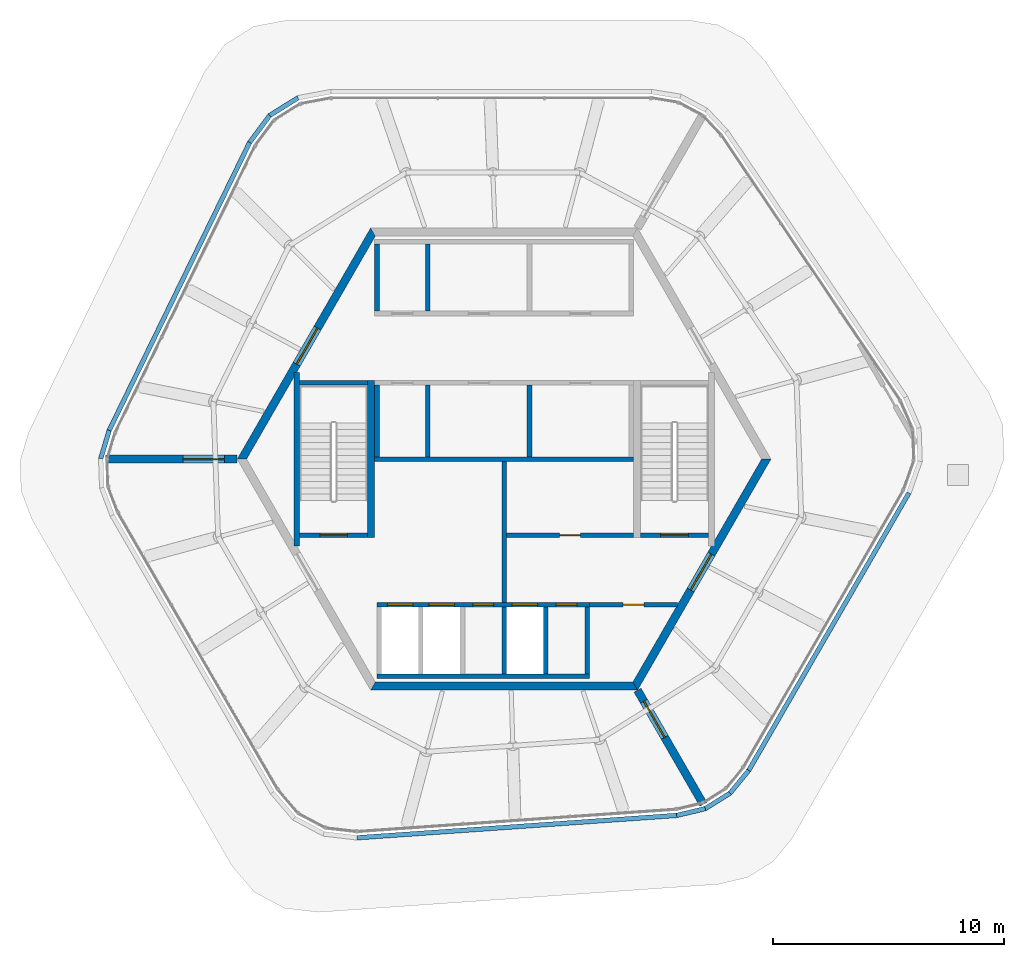
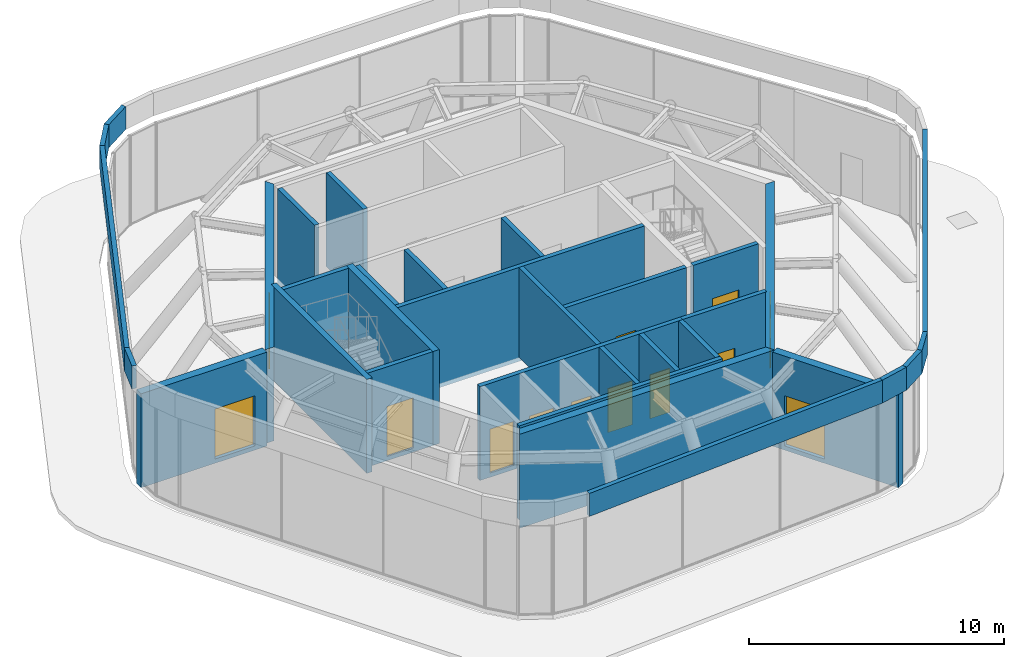
# One storey, part 7 of 9: 33 walls, 13 doors, 13 openings.
"""IFC4 building model written with IfcOpenShell, lengths in metres."""

import ifcopenshell
import ifcopenshell.guid

model = None  # the IFC model being written
_history = None  # IfcOwnerHistory: only IFC2X3 demands one
_inside = {}  # id of a spatial element -> (the spatial element, [elements in it])
_under = {}  # id of a project, library or spatial element -> (it, [spatial elements below it])
_declared = {}  # id of a project -> (the project, [libraries it declares])
_typed = {}  # id of a type object -> (the type object, [elements of that type])
_made_of = {}  # id of a material, layer set ... -> (it, [elements and type objects made of it])


def new_model(schema):
    """Start an empty IFC model of exactly this schema.

    Asked for "IFC4X3", IfcOpenShell would pick the latest addendum, in which some entities
    have other attributes; the version numbers below select the first issue.
    IFC2X3 requires an IfcOwnerHistory on every rooted entity: one is made here for all.
    """
    global model, _history
    if schema == "IFC4X3":
        model = ifcopenshell.file(schema_version=(4, 3, 0, 0))
    else:
        model = ifcopenshell.file(schema=schema)
    _inside.clear()
    _under.clear()
    _declared.clear()
    _typed.clear()
    _made_of.clear()
    _history = None
    if model.schema == "IFC2X3":
        org = make("IfcOrganization", Name="unknown")
        user = make(
            "IfcPersonAndOrganization",
            ThePerson=make("IfcPerson", FamilyName="unknown"),
            TheOrganization=org,
        )
        app = make(
            "IfcApplication",
            ApplicationDeveloper=org,
            Version="unknown",
            ApplicationFullName="unknown",
            ApplicationIdentifier="unknown",
        )
        _history = make(
            "IfcOwnerHistory",
            OwningUser=user,
            OwningApplication=app,
            ChangeAction="ADDED",
            CreationDate=0,
        )
    return model


def make(cls, **values):
    """One entity of the class cls with the attributes given. An attribute that is None is left unset."""
    return model.create_entity(
        cls, **{name: value for name, value in values.items() if value is not None}
    )


def rooted(cls, **values):
    """An entity with a GlobalId (a new one), such as an element, a storey or a relation."""
    return make(cls, GlobalId=ifcopenshell.guid.new(), OwnerHistory=_history, **values)


def si_unit(unit_type, name, prefix=None):
    """IfcSIUnit, for example si_unit("LENGTHUNIT", "METRE", prefix="MILLI")."""
    return make("IfcSIUnit", UnitType=unit_type, Prefix=prefix, Name=name)


def assignment(units):
    """IfcUnitAssignment: the units of a project."""
    return None if units is None else make("IfcUnitAssignment", Units=units)


def point(xyz):
    """IfcCartesianPoint."""
    return None if xyz is None else make("IfcCartesianPoint", Coordinates=xyz)


def direction(xyz):
    """IfcDirection."""
    return None if xyz is None else make("IfcDirection", DirectionRatios=xyz)


def frame(location, z_axis=None, x_axis=None):
    """IfcAxis2Placement3D, a coordinate frame: its origin and axes. An axis left out is left unset."""
    return make(
        "IfcAxis2Placement3D",
        Location=point(location),
        Axis=direction(z_axis),
        RefDirection=direction(x_axis),
    )


def frame_2d(location, x_axis=None):
    """IfcAxis2Placement2D, a coordinate frame in the plane: its origin and x axis."""
    return make(
        "IfcAxis2Placement2D", Location=point(location), RefDirection=direction(x_axis)
    )


def origin():
    """The frame at (0, 0, 0) with its axes left unset."""
    return frame((0.0, 0.0, 0.0))


def place(relative_to, where):
    """IfcLocalPlacement: puts the frame where relative to a parent placement (None: the world)."""
    return make(
        "IfcLocalPlacement", PlacementRelTo=relative_to, RelativePlacement=where
    )


def context(
    kind, dimensions, precision=None, world=None, true_north=None, identifier=None
):
    """IfcGeometricRepresentationContext, for example the 3D "Model" context."""
    return make(
        "IfcGeometricRepresentationContext",
        ContextIdentifier=identifier,
        ContextType=kind,
        CoordinateSpaceDimension=dimensions,
        Precision=precision,
        WorldCoordinateSystem=world,
        TrueNorth=true_north,
    )


def subcontext(parent, identifier, kind, view, scale=None):
    """IfcGeometricRepresentationSubContext, for example "Body" below "Model"."""
    return make(
        "IfcGeometricRepresentationSubContext",
        ContextIdentifier=identifier,
        ContextType=kind,
        ParentContext=parent,
        TargetScale=scale,
        TargetView=view,
    )


def project(units=None, contexts=None):
    """IfcProject with its units and contexts."""
    return rooted(
        "IfcProject",
        Name="project",
        RepresentationContexts=contexts,
        UnitsInContext=assignment(units),
    )


def spatial(cls, under=None, at=None, **own):
    """A site, building, storey or space (cls), placed at a placement, below another one or the project."""
    s = rooted(cls, ObjectPlacement=at, **own)
    if under is not None:
        _under.setdefault(under.id(), (under, []))[1].append(s)
    return s


def polyline(points):
    """IfcPolyline through the points."""
    return make("IfcPolyline", Points=[point(p) for p in points])


def profile(cls, at=None, kind="AREA", **sizes):
    """A parametric profile (cls). Its sizes go by their IFC names, for example OverallWidth=200.0."""
    return make(cls, ProfileType=kind, Position=at, **sizes)


def rectangle(**sizes):
    """IfcRectangleProfileDef."""
    return profile("IfcRectangleProfileDef", **sizes)


def outline(outer, holes=None, kind="AREA"):
    """IfcArbitraryClosedProfileDef: a profile drawn as a closed curve; with holes, ...WithVoids."""
    if holes is None:
        return make("IfcArbitraryClosedProfileDef", ProfileType=kind, OuterCurve=outer)
    return make(
        "IfcArbitraryProfileDefWithVoids",
        ProfileType=kind,
        OuterCurve=outer,
        InnerCurves=holes,
    )


def extrude(swept, where, along, depth):
    """IfcExtrudedAreaSolid: the profile swept, set in the frame where, extruded along a direction by depth."""
    return make(
        "IfcExtrudedAreaSolid",
        SweptArea=swept,
        Position=where,
        ExtrudedDirection=direction(along),
        Depth=depth,
    )


def shape(context_of_items, identifier, shape_type, items):
    """IfcShapeRepresentation: the items that make up one representation, for example the "Body"."""
    return make(
        "IfcShapeRepresentation",
        ContextOfItems=context_of_items,
        RepresentationIdentifier=identifier,
        RepresentationType=shape_type,
        Items=items,
    )


def material(Name=None, Category=None):
    """IfcMaterial."""
    return make("IfcMaterial", Name=Name, Category=Category)


def layer(
    of_material, thickness, ventilated=None, Name=None, Category=None, Priority=None
):
    """IfcMaterialLayer: one layer of a wall or slab, of a material (None: an air gap)."""
    return make(
        "IfcMaterialLayer",
        Material=of_material,
        LayerThickness=thickness,
        IsVentilated=ventilated,
        Name=Name,
        Category=Category,
        Priority=Priority,
    )


def layer_set(layers, Name=None):
    """IfcMaterialLayerSet."""
    return make("IfcMaterialLayerSet", MaterialLayers=layers, LayerSetName=Name)


def made_of(thing, what):
    """Note that an element or type object is made of a material, layer set ...; save() writes the relation."""
    if what is not None:
        _made_of.setdefault(what.id(), (what, []))[1].append(thing)
    return thing


def type_object(cls, material=None, **own):
    """A type object (cls), such as IfcWallType, which elements share."""
    return made_of(rooted(cls, **own), material)


def element(
    cls,
    number,
    at=None,
    inside=None,
    cuts=None,
    type_object=None,
    material=None,
    context=None,
    identifier="Body",
    shape_type=None,
    held_by="IfcProductDefinitionShape",
    body=None,
    shapes=None,
    **own,
):
    """One element of the class cls, such as IfcWall. Its Tag is "e" and its number.

    at: its placement. inside: the storey or other place that contains it. cuts: it is an
    opening in that element (IfcRelVoidsElement). A single representation is given by context,
    identifier, shape_type and body (its items); several are given by shapes. held_by: the class
    of the entity that holds the representations. save() writes the other relations.
    """
    e = rooted(cls, Tag="e%d" % number, ObjectPlacement=at, **own)
    if body is not None:
        shapes = [shape(context, identifier, shape_type, body)]
    if shapes is not None:
        e.Representation = make(held_by, Representations=shapes)
    if inside is not None:
        _inside.setdefault(inside.id(), (inside, []))[1].append(e)
    if cuts is not None:
        rooted(
            "IfcRelVoidsElement", RelatingBuildingElement=cuts, RelatedOpeningElement=e
        )
    if type_object is not None:
        _typed.setdefault(type_object.id(), (type_object, []))[1].append(e)
    return made_of(e, material)


def fill(opening, filler):
    """IfcRelFillsElement: the door or window that sits in an opening."""
    return rooted(
        "IfcRelFillsElement",
        RelatingOpeningElement=opening,
        RelatedBuildingElement=filler,
    )


def aggregate(whole, parts):
    """IfcRelAggregates: a whole, such as a stair, and the parts it consists of."""
    return rooted("IfcRelAggregates", RelatingObject=whole, RelatedObjects=parts)


def save(model, path):
    """Write the relations noted so far, then the file.

    IfcRelAggregates (storeys below a building ...), IfcRelContainedInSpatialStructure (elements
    in a storey), IfcRelDefinesByType, IfcRelAssociatesMaterial and IfcRelDeclares: one each for
    every whole, place, type object, material and project.
    """
    for whole, parts in _under.values():
        aggregate(whole, parts)
    for where, things in _inside.values():
        rooted(
            "IfcRelContainedInSpatialStructure",
            RelatedElements=things,
            RelatingStructure=where,
        )
    for kind, things in _typed.values():
        rooted("IfcRelDefinesByType", RelatedObjects=things, RelatingType=kind)
    for what, things in _made_of.values():
        rooted("IfcRelAssociatesMaterial", RelatedObjects=things, RelatingMaterial=what)
    for by, libraries in _declared.values():
        rooted("IfcRelDeclares", RelatingContext=by, RelatedDefinitions=libraries)
    model.write(path)


model = new_model("IFC4")

# Units and contexts
model_context = context("Model", 3, precision=1e-05, world=origin(), true_north=direction((0.0, 1.0)))
body_context = subcontext(model_context, "Body", "Model", "MODEL_VIEW")
ifc_project = project(units=[si_unit("LENGTHUNIT", "METRE"), si_unit("AREAUNIT", "SQUARE_METRE"), si_unit("VOLUMEUNIT", "CUBIC_METRE"), si_unit("PLANEANGLEUNIT", "RADIAN"), si_unit("MASSUNIT", "GRAM", prefix="KILO")], contexts=[model_context])

# Site, building, storey
site_placement = place(None, origin())
site = spatial("IfcSite", under=ifc_project, at=site_placement, CompositionType="ELEMENT")
building_placement = place(site_placement, origin())
building = spatial("IfcBuilding", under=site, at=building_placement, Name="Tarnside Tower", CompositionType="ELEMENT")
storey_placement = place(building_placement, frame((0.0, 0.0, 397.199951171875)))
storey = spatial("IfcBuildingStorey", under=building, at=storey_placement, Name="L94", CompositionType="ELEMENT", Elevation=397.199951171875)

# Wall, opening, door
ifc_material_1 = material(Name="Concrete C40/50", Category="concrete")
ifc_layer_1 = layer(ifc_material_1, 0.199951171875)
ifc_layer_set_1 = layer_set([ifc_layer_1], Name="Core room partition 200 C40/50")
wall_type_1 = type_object("IfcWallType", Name="Core room partition 200 C40/50", PredefinedType="PARTITIONING", material=ifc_layer_set_1)
wall_1_placement = place(storey_placement, frame((0.10009765625, -3.300048828125, 0.0), z_axis=(0.0, 0.0, 1.0), x_axis=(1.0, 0.0, 0.0)))
wall_1 = element("IfcWall", 1, at=wall_1_placement, inside=storey, type_object=wall_type_1, Name="L94 core partition R3S1", PredefinedType="PARTITIONING", context=body_context, shape_type="SweptSolid", body=[
    extrude(rectangle(XDim=5.5, YDim=0.199951171875, at=frame_2d((2.75, 0.0))), origin(), (0.0, 0.0, 1.0), 4.300048828125),
])
opening_1_placement = place(wall_1_placement, frame((2.300048828125, 0.0, 0.0)))
opening_1 = element("IfcOpeningElement", 2, at=opening_1_placement, cuts=wall_1, Name="Opening CD-room", PredefinedType="OPENING", context=body_context, shape_type="SweptSolid", body=[
    extrude(rectangle(XDim=0.89990234375, YDim=2.10009765625, at=frame_2d((0.449951171875, 1.050048828125))), frame((0.0, 0.10986328125, 0.0), z_axis=(0.0, -1.0, 0.0), x_axis=(1.0, 0.0, 0.0)), (0.0, 0.0, 1.0), 0.219970703125),
])
ifc_material_2 = material(Name="Steel fire door", Category="steel")
door_type_1 = type_object("IfcDoorType", Name="Room door FD60 900x2100", OperationType="NOTDEFINED", PredefinedType="DOOR", material=ifc_material_2)
door_1_placement = place(opening_1_placement, origin())
door_1 = element("IfcDoor", 3, at=door_1_placement, inside=storey, type_object=door_type_1, Name="L94 core room door SR1", OperationType="SINGLE_SWING_LEFT", OverallHeight=2.10009765625, OverallWidth=0.89990234375, PredefinedType="DOOR", context=body_context, shape_type="SweptSolid", body=[
    extrude(rectangle(XDim=0.89990234375, YDim=2.10009765625, at=frame_2d((0.449951171875, 1.050048828125))), frame((0.0, 0.02490234375, 0.0), z_axis=(0.0, -1.0, 0.0), x_axis=(1.0, 0.0, 0.0)), (0.0, 0.0, 1.0), 0.050048828125),
])
fill(opening_1, door_1)

# Wall
wall_2_placement = place(storey_placement, frame((0.0, -6.199951171875, 0.0), z_axis=(0.0, 0.0, 1.0), x_axis=(0.0, 1.0, 0.0)))
element("IfcWall", 4, at=wall_2_placement, inside=storey, type_object=wall_type_1, Name="L94 core partition X0", PredefinedType="PARTITIONING", context=body_context, shape_type="SweptSolid", body=[
    extrude(rectangle(XDim=6.099853515625, YDim=0.199951171875, at=frame_2d((3.0498046875, 0.0))), origin(), (0.0, 0.0, 1.0), 4.300048828125),
])

# Wall, opening, door
wall_3_placement = place(storey_placement, frame((3.699951171875, -6.300048828125, 0.0), z_axis=(0.0, 0.0, 1.0), x_axis=(1.0, 0.0, 0.0)))
wall_3 = element("IfcWall", 5, at=wall_3_placement, inside=storey, type_object=wall_type_1, Name="L94 core partition R4X", PredefinedType="PARTITIONING", context=body_context, shape_type="SweptSolid", body=[
    extrude(rectangle(XDim=3.8056640625, YDim=0.199951171875, at=frame_2d((1.90283203125, 0.0))), origin(), (0.0, 0.0, 1.0), 4.300048828125),
])
opening_2_placement = place(wall_3_placement, frame((1.452880859375, 0.0, 0.0)))
opening_2 = element("IfcOpeningElement", 6, at=opening_2_placement, cuts=wall_3, Name="Opening CD-room", PredefinedType="OPENING", context=body_context, shape_type="SweptSolid", body=[
    extrude(rectangle(XDim=0.89990234375, YDim=2.10009765625, at=frame_2d((0.449951171875, 1.050048828125))), frame((0.0, 0.10986328125, 0.0), z_axis=(0.0, -1.0, 0.0), x_axis=(1.0, 0.0, 0.0)), (0.0, 0.0, 1.0), 0.219970703125),
])
door_2_placement = place(opening_2_placement, origin())
door_2 = element("IfcDoor", 7, at=door_2_placement, inside=storey, type_object=door_type_1, Name="L94 core room door RX", OperationType="SINGLE_SWING_LEFT", OverallHeight=2.10009765625, OverallWidth=0.89990234375, PredefinedType="DOOR", context=body_context, shape_type="SweptSolid", body=[
    extrude(rectangle(XDim=0.89990234375, YDim=2.10009765625, at=frame_2d((0.449951171875, 1.050048828125))), frame((0.0, 0.02490234375, 0.0), z_axis=(0.0, -1.0, 0.0), x_axis=(1.0, 0.0, 0.0)), (0.0, 0.0, 1.0), 0.050048828125),
])
fill(opening_2, door_2)

ifc_material_3 = material(Name="Concrete C50/60", Category="concrete")
ifc_layer_2 = layer(ifc_material_3, 0.35009765625)
ifc_layer_set_2 = layer_set([ifc_layer_2], Name="Core wall Z4 350 C50/60")
wall_type_2 = type_object("IfcWallType", Name="Core wall Z4 350 C50/60", PredefinedType="SHEAR", material=ifc_layer_set_2)
wall_4_placement = place(storey_placement, frame((-5.672607421875, 9.824951171875, -0.199951171875), z_axis=(0.0, 0.0, 1.0), x_axis=(-0.499995046907, -0.866028263435, 0.0)))
wall_4 = element("IfcWall", 8, at=wall_4_placement, inside=storey, type_object=wall_type_2, Name="L94 core wall face 2", PredefinedType="SHEAR", context=body_context, shape_type="SweptSolid", body=[
    extrude(outline(polyline([(-0.10107421875, -0.175048828125), (11.44580078125, -0.175048828125), (11.24365234375, 0.175048828125), (0.10107421875, 0.175048828125), (-0.10107421875, -0.175048828125)])), origin(), (0.0, 0.0, 1.0), 4.5),
])
opening_3_placement = place(wall_4_placement, frame((4.80126953125, 0.0, 0.199951171875)))
opening_3 = element("IfcOpeningElement", 9, at=opening_3_placement, cuts=wall_4, Name="Opening CD-LOB", PredefinedType="OPENING", context=body_context, shape_type="SweptSolid", body=[
    extrude(rectangle(XDim=1.800048828125, YDim=2.39990234375, at=frame_2d((0.89990234375, 1.199951171875))), frame((0.0, 0.18505859375, 0.0), z_axis=(0.0, -1.0, 0.0), x_axis=(1.0, 0.0, 0.0)), (0.0, 0.0, 1.0), 0.3701171875),
])
door_type_2 = type_object("IfcDoorType", Name="Lobby double door FD30S 1800x2400", OperationType="NOTDEFINED", PredefinedType="DOOR", material=ifc_material_2)
door_3_placement = place(opening_3_placement, origin())
door_3 = element("IfcDoor", 10, at=door_3_placement, inside=storey, type_object=door_type_2, Name="L94 core door P1", OperationType="DOUBLE_DOOR_SINGLE_SWING", OverallHeight=2.39990234375, OverallWidth=1.800048828125, PredefinedType="DOOR", context=body_context, shape_type="SweptSolid", body=[
    extrude(rectangle(XDim=1.800048828125, YDim=2.39990234375, at=frame_2d((0.89990234375, 1.199951171875))), frame((0.0, 0.02490234375, 0.0), z_axis=(0.0, -1.0, 0.0), x_axis=(1.0, 0.0, 0.0)), (0.0, 0.0, 1.0), 0.050048828125),
])
fill(opening_3, door_3)

# Wall
wall_5_placement = place(storey_placement, frame((-5.672607421875, -9.824951171875, -0.199951171875), z_axis=(0.0, 0.0, 1.0), x_axis=(1.0, 0.0, 0.0)))
element("IfcWall", 11, at=wall_5_placement, inside=storey, type_object=wall_type_2, Name="L94 core wall face 4", PredefinedType="SHEAR", context=body_context, shape_type="SweptSolid", body=[
    extrude(outline(polyline([(-0.10107421875, -0.175048828125), (11.4462890625, -0.175048828125), (11.244140625, 0.175048828125), (0.10107421875, 0.175048828125), (-0.10107421875, -0.175048828125)])), origin(), (0.0, 0.0, 1.0), 4.5),
])

# Wall, opening, door
wall_6_placement = place(storey_placement, frame((5.672607421875, -9.824951171875, -0.199951171875), z_axis=(0.0, 0.0, 1.0), x_axis=(0.499995046907, 0.866028263435, 0.0)))
wall_6 = element("IfcWall", 12, at=wall_6_placement, inside=storey, type_object=wall_type_2, Name="L94 core wall face 5", PredefinedType="SHEAR", context=body_context, shape_type="SweptSolid", body=[
    extrude(outline(polyline([(-0.10107421875, -0.175048828125), (11.44580078125, -0.175048828125), (11.24365234375, 0.175048828125), (0.10107421875, 0.175048828125), (-0.10107421875, -0.175048828125)])), origin(), (0.0, 0.0, 1.0), 4.5),
])
opening_4_placement = place(wall_6_placement, frame((4.80126953125, 0.0, 0.199951171875)))
opening_4 = element("IfcOpeningElement", 13, at=opening_4_placement, cuts=wall_6, Name="Opening CD-FFL", PredefinedType="OPENING", context=body_context, shape_type="SweptSolid", body=[
    extrude(rectangle(XDim=1.800048828125, YDim=2.39990234375, at=frame_2d((0.89990234375, 1.199951171875))), frame((0.0, 0.18505859375, 0.0), z_axis=(0.0, -1.0, 0.0), x_axis=(1.0, 0.0, 0.0)), (0.0, 0.0, 1.0), 0.3701171875),
])
door_type_3 = type_object("IfcDoorType", Name="Firefighting lobby double door FD60S 1800x2400", OperationType="NOTDEFINED", PredefinedType="DOOR", material=ifc_material_2)
door_4_placement = place(opening_4_placement, origin())
door_4 = element("IfcDoor", 14, at=door_4_placement, inside=storey, type_object=door_type_3, Name="L94 core door P4", OperationType="DOUBLE_DOOR_SINGLE_SWING", OverallHeight=2.39990234375, OverallWidth=1.800048828125, PredefinedType="DOOR", context=body_context, shape_type="SweptSolid", body=[
    extrude(rectangle(XDim=1.800048828125, YDim=2.39990234375, at=frame_2d((0.89990234375, 1.199951171875))), frame((0.0, 0.02490234375, 0.0), z_axis=(0.0, -1.0, 0.0), x_axis=(1.0, 0.0, 0.0)), (0.0, 0.0, 1.0), 0.050048828125),
])
fill(opening_4, door_4)

wall_7_placement = place(storey_placement, frame((-11.547119140625, 0.0, -0.199951171875), z_axis=(0.0, 0.0, 1.0), x_axis=(-1.0, 0.0, 0.0)))
wall_7 = element("IfcWall", 15, at=wall_7_placement, inside=storey, type_object=wall_type_2, Name="L94 spine wall 2", PredefinedType="SHEAR", context=body_context, shape_type="SweptSolid", body=[
    extrude(rectangle(XDim=5.70458984375, YDim=0.35009765625, at=frame_2d((2.852294921875, 0.0))), origin(), (0.0, 0.0, 1.0), 4.5),
])
opening_5_placement = place(wall_7_placement, frame((0.55224609375, 0.0, 0.199951171875)))
opening_5 = element("IfcOpeningElement", 16, at=opening_5_placement, cuts=wall_7, Name="Opening CD-SPN", PredefinedType="OPENING", context=body_context, shape_type="SweptSolid", body=[
    extrude(rectangle(XDim=1.800048828125, YDim=2.39990234375, at=frame_2d((0.89990234375, 1.199951171875))), frame((0.0, 0.18505859375, 0.0), z_axis=(0.0, -1.0, 0.0), x_axis=(1.0, 0.0, 0.0)), (0.0, 0.0, 1.0), 0.3701171875),
])
door_type_4 = type_object("IfcDoorType", Name="Spine passage double door FD60 1800x2400", OperationType="NOTDEFINED", PredefinedType="DOOR", material=ifc_material_2)
door_5_placement = place(opening_5_placement, origin())
door_5 = element("IfcDoor", 17, at=door_5_placement, inside=storey, type_object=door_type_4, Name="L94 spine passage door 2", OperationType="DOUBLE_DOOR_SINGLE_SWING", OverallHeight=2.39990234375, OverallWidth=1.800048828125, PredefinedType="DOOR", context=body_context, shape_type="SweptSolid", body=[
    extrude(rectangle(XDim=1.800048828125, YDim=2.39990234375, at=frame_2d((0.89990234375, 1.199951171875))), frame((0.0, 0.02490234375, 0.0), z_axis=(0.0, -1.0, 0.0), x_axis=(1.0, 0.0, 0.0)), (0.0, 0.0, 1.0), 0.050048828125),
])
fill(opening_5, door_5)

wall_8_placement = place(storey_placement, frame((5.7734375, -10.0, -0.199951171875), z_axis=(0.0, 0.0, 1.0), x_axis=(0.499991653138, -0.866030222794, 0.0)))
wall_8 = element("IfcWall", 18, at=wall_8_placement, inside=storey, type_object=wall_type_2, Name="L94 spine wall 3", PredefinedType="SHEAR", context=body_context, shape_type="SweptSolid", body=[
    extrude(rectangle(XDim=5.70458984375, YDim=0.35009765625, at=frame_2d((2.852294921875, 0.0))), origin(), (0.0, 0.0, 1.0), 4.5),
])
opening_6_placement = place(wall_8_placement, frame((0.55224609375, 0.0, 0.199951171875)))
opening_6 = element("IfcOpeningElement", 19, at=opening_6_placement, cuts=wall_8, Name="Opening CD-SPN", PredefinedType="OPENING", context=body_context, shape_type="SweptSolid", body=[
    extrude(rectangle(XDim=1.800048828125, YDim=2.39990234375, at=frame_2d((0.89990234375, 1.199951171875))), frame((0.0, 0.18505859375, 0.0), z_axis=(0.0, -1.0, 0.0), x_axis=(1.0, 0.0, 0.0)), (0.0, 0.0, 1.0), 0.3701171875),
])
door_6_placement = place(opening_6_placement, origin())
door_6 = element("IfcDoor", 20, at=door_6_placement, inside=storey, type_object=door_type_4, Name="L94 spine passage door 3", OperationType="DOUBLE_DOOR_SINGLE_SWING", OverallHeight=2.39990234375, OverallWidth=1.800048828125, PredefinedType="DOOR", context=body_context, shape_type="SweptSolid", body=[
    extrude(rectangle(XDim=1.800048828125, YDim=2.39990234375, at=frame_2d((0.89990234375, 1.199951171875))), frame((0.0, 0.02490234375, 0.0), z_axis=(0.0, -1.0, 0.0), x_axis=(1.0, 0.0, 0.0)), (0.0, 0.0, 1.0), 0.050048828125),
])
fill(opening_6, door_6)

# Walls
ifc_layer_3 = layer(ifc_material_1, 0.199951171875)
ifc_layer_set_3 = layer_set([ifc_layer_3], Name="Lift shaft wall 200 C40/50")
wall_type_3 = type_object("IfcWallType", Name="Lift shaft wall 200 C40/50", PredefinedType="SHEAR", material=ifc_layer_set_3)
for number, where, z_axis, x_axis, name in (
    (21, (-5.5, 6.39990234375, -0.199951171875), (0.0, 0.0, 1.0), (0.0, 1.0, 0.0), "L94 lift shaft partition R11"),
    (22, (-3.300048828125, 6.39990234375, -0.199951171875), (0.0, 0.0, 1.0), (0.0, 1.0, 0.0), "L94 lift shaft partition R12"),
):
    element("IfcWall", number, at=place(storey_placement, frame(where, z_axis=z_axis, x_axis=x_axis)), inside=storey, type_object=wall_type_3, Name=name, PredefinedType="SHEAR", context=body_context, shape_type="SweptSolid", body=[
        extrude(rectangle(XDim=2.900146484375, YDim=0.199951171875, at=frame_2d((1.4501953125, 0.0))), origin(), (0.0, 0.0, 1.0), 4.5),
    ])
wall_9_placement = place(storey_placement, frame((-5.60009765625, 0.0, -0.199951171875), z_axis=(0.0, 0.0, 1.0), x_axis=(1.0, 0.0, 0.0)))
element("IfcWall", 23, at=wall_9_placement, inside=storey, type_object=wall_type_3, Name="L94 lift shaft back wall R2", PredefinedType="SHEAR", context=body_context, shape_type="SweptSolid", body=[
    extrude(rectangle(XDim=11.2001953125, YDim=0.199951171875, at=frame_2d((5.60009765625, 0.0))), origin(), (0.0, 0.0, 1.0), 4.5),
])
for number, where, z_axis, x_axis, name in (
    (24, (-5.5, 0.10009765625, -0.199951171875), (0.0, 0.0, 1.0), (0.0, 1.0, 0.0), "L94 lift shaft partition R21"),
    (25, (-3.300048828125, 0.10009765625, -0.199951171875), (0.0, 0.0, 1.0), (0.0, 1.0, 0.0), "L94 lift shaft partition R22"),
    (26, (1.10009765625, 0.10009765625, -0.199951171875), (0.0, 0.0, 1.0), (0.0, 1.0, 0.0), "L94 lift shaft partition R24"),
):
    element("IfcWall", number, at=place(storey_placement, frame(where, z_axis=z_axis, x_axis=x_axis)), inside=storey, type_object=wall_type_3, Name=name, PredefinedType="SHEAR", context=body_context, shape_type="SweptSolid", body=[
        extrude(rectangle(XDim=3.099853515625, YDim=0.199951171875, at=frame_2d((1.5498046875, 0.0))), origin(), (0.0, 0.0, 1.0), 4.5),
    ])

# Wall, openings, doors
wall_10_placement = place(storey_placement, frame((-5.5, -6.300048828125, -0.199951171875), z_axis=(0.0, 0.0, 1.0), x_axis=(1.0, 0.0, 0.0)))
wall_10 = element("IfcWall", 27, at=wall_10_placement, inside=storey, type_object=wall_type_3, Name="L94 lift shaft front wall R4", PredefinedType="SHEAR", context=body_context, shape_type="SweptSolid", body=[
    extrude(rectangle(XDim=9.199951171875, YDim=0.199951171875, at=frame_2d((4.60009765625, 0.0))), origin(), (0.0, 0.0, 1.0), 4.5),
])
opening_7_placement = place(wall_10_placement, frame((4.14990234375, 0.0, 0.199951171875)))
opening_7 = element("IfcOpeningElement", 28, at=opening_7_placement, cuts=wall_10, Name="Opening CD-room", PredefinedType="OPENING", context=body_context, shape_type="SweptSolid", body=[
    extrude(rectangle(XDim=0.89990234375, YDim=2.10009765625, at=frame_2d((0.449951171875, 1.050048828125))), frame((0.0, 0.10986328125, 0.0), z_axis=(0.0, -1.0, 0.0), x_axis=(1.0, 0.0, 0.0)), (0.0, 0.0, 1.0), 0.219970703125),
])
opening_8_placement = place(wall_10_placement, frame((7.75, 0.0, 0.199951171875)))
opening_8 = element("IfcOpeningElement", 29, at=opening_8_placement, cuts=wall_10, Name="Opening CD-room", PredefinedType="OPENING", context=body_context, shape_type="SweptSolid", body=[
    extrude(rectangle(XDim=0.89990234375, YDim=2.10009765625, at=frame_2d((0.449951171875, 1.050048828125))), frame((0.0, 0.10986328125, 0.0), z_axis=(0.0, -1.0, 0.0), x_axis=(1.0, 0.0, 0.0)), (0.0, 0.0, 1.0), 0.219970703125),
])
opening_9_placement = place(wall_10_placement, frame((0.449951171875, 0.0, 0.199951171875)))
opening_9 = element("IfcOpeningElement", 30, at=opening_9_placement, cuts=wall_10, Name="Opening LDF", PredefinedType="OPENING", context=body_context, shape_type="SweptSolid", body=[
    extrude(rectangle(XDim=1.10009765625, YDim=2.10009765625, at=frame_2d((0.550048828125, 1.050048828125))), frame((0.0, 0.10986328125, 0.0), z_axis=(0.0, -1.0, 0.0), x_axis=(1.0, 0.0, 0.0)), (0.0, 0.0, 1.0), 0.219970703125),
])
opening_10_placement = place(wall_10_placement, frame((2.25, 0.0, 0.199951171875)))
opening_10 = element("IfcOpeningElement", 31, at=opening_10_placement, cuts=wall_10, Name="Opening LDF", PredefinedType="OPENING", context=body_context, shape_type="SweptSolid", body=[
    extrude(rectangle(XDim=1.10009765625, YDim=2.10009765625, at=frame_2d((0.550048828125, 1.050048828125))), frame((0.0, 0.10986328125, 0.0), z_axis=(0.0, -1.0, 0.0), x_axis=(1.0, 0.0, 0.0)), (0.0, 0.0, 1.0), 0.219970703125),
])
opening_11_placement = place(wall_10_placement, frame((5.85009765625, 0.0, 0.199951171875)))
opening_11 = element("IfcOpeningElement", 32, at=opening_11_placement, cuts=wall_10, Name="Opening LDF", PredefinedType="OPENING", context=body_context, shape_type="SweptSolid", body=[
    extrude(rectangle(XDim=1.10009765625, YDim=2.10009765625, at=frame_2d((0.550048828125, 1.050048828125))), frame((0.0, 0.10986328125, 0.0), z_axis=(0.0, -1.0, 0.0), x_axis=(1.0, 0.0, 0.0)), (0.0, 0.0, 1.0), 0.219970703125),
])
ifc_material_4 = material(Name="Stainless steel", Category="steel")
door_type_5 = type_object("IfcDoorType", Name="Lift landing door 1100x2100 EI 120", OperationType="NOTDEFINED", PredefinedType="DOOR", material=ifc_material_4)
door_7_placement = place(opening_9_placement, origin())
door_7 = element("IfcDoor", 33, at=door_7_placement, inside=storey, type_object=door_type_5, Name="Firefighting lift 1 landing door L94", OperationType="SLIDING_TO_LEFT", OverallHeight=2.10009765625, OverallWidth=1.10009765625, PredefinedType="DOOR", context=body_context, shape_type="SweptSolid", body=[
    extrude(rectangle(XDim=1.10009765625, YDim=2.10009765625, at=frame_2d((0.550048828125, 1.050048828125))), frame((0.0, 0.02490234375, 0.0), z_axis=(0.0, -1.0, 0.0), x_axis=(1.0, 0.0, 0.0)), (0.0, 0.0, 1.0), 0.050048828125),
])
fill(opening_9, door_7)
door_8_placement = place(opening_10_placement, origin())
door_8 = element("IfcDoor", 34, at=door_8_placement, inside=storey, type_object=door_type_5, Name="Firefighting lift 2 landing door L94", OperationType="SLIDING_TO_LEFT", OverallHeight=2.10009765625, OverallWidth=1.10009765625, PredefinedType="DOOR", context=body_context, shape_type="SweptSolid", body=[
    extrude(rectangle(XDim=1.10009765625, YDim=2.10009765625, at=frame_2d((0.550048828125, 1.050048828125))), frame((0.0, 0.02490234375, 0.0), z_axis=(0.0, -1.0, 0.0), x_axis=(1.0, 0.0, 0.0)), (0.0, 0.0, 1.0), 0.050048828125),
])
fill(opening_10, door_8)
door_9_placement = place(opening_11_placement, origin())
door_9 = element("IfcDoor", 35, at=door_9_placement, inside=storey, type_object=door_type_5, Name="Firefighting lift 4 landing door L94", OperationType="SLIDING_TO_LEFT", OverallHeight=2.10009765625, OverallWidth=1.10009765625, PredefinedType="DOOR", context=body_context, shape_type="SweptSolid", body=[
    extrude(rectangle(XDim=1.10009765625, YDim=2.10009765625, at=frame_2d((0.550048828125, 1.050048828125))), frame((0.0, 0.02490234375, 0.0), z_axis=(0.0, -1.0, 0.0), x_axis=(1.0, 0.0, 0.0)), (0.0, 0.0, 1.0), 0.050048828125),
])
fill(opening_11, door_9)
door_10_placement = place(opening_7_placement, origin())
door_10 = element("IfcDoor", 36, at=door_10_placement, inside=storey, type_object=door_type_1, Name="L94 core room door FC7", OperationType="SINGLE_SWING_LEFT", OverallHeight=2.10009765625, OverallWidth=0.89990234375, PredefinedType="DOOR", context=body_context, shape_type="SweptSolid", body=[
    extrude(rectangle(XDim=0.89990234375, YDim=2.10009765625, at=frame_2d((0.449951171875, 1.050048828125))), frame((0.0, 0.02490234375, 0.0), z_axis=(0.0, -1.0, 0.0), x_axis=(1.0, 0.0, 0.0)), (0.0, 0.0, 1.0), 0.050048828125),
])
fill(opening_7, door_10)
door_11_placement = place(opening_8_placement, origin())
door_11 = element("IfcDoor", 37, at=door_11_placement, inside=storey, type_object=door_type_1, Name="L94 core room door FC8", OperationType="SINGLE_SWING_LEFT", OverallHeight=2.10009765625, OverallWidth=0.89990234375, PredefinedType="DOOR", context=body_context, shape_type="SweptSolid", body=[
    extrude(rectangle(XDim=0.89990234375, YDim=2.10009765625, at=frame_2d((0.449951171875, 1.050048828125))), frame((0.0, 0.02490234375, 0.0), z_axis=(0.0, -1.0, 0.0), x_axis=(1.0, 0.0, 0.0)), (0.0, 0.0, 1.0), 0.050048828125),
])
fill(opening_8, door_11)

# Walls
wall_11_placement = place(storey_placement, frame((-5.5, -9.39990234375, -0.199951171875), z_axis=(0.0, 0.0, 1.0), x_axis=(1.0, 0.0, 0.0)))
element("IfcWall", 38, at=wall_11_placement, inside=storey, type_object=wall_type_3, Name="L94 lift shaft back wall R4", PredefinedType="SHEAR", context=body_context, shape_type="SweptSolid", body=[
    extrude(rectangle(XDim=9.199951171875, YDim=0.199951171875, at=frame_2d((4.60009765625, 0.0))), origin(), (0.0, 0.0, 1.0), 4.5),
])
for number, where, z_axis, x_axis, name in (
    (39, (0.0, -9.300048828125, -0.199951171875), (0.0, 0.0, 1.0), (0.0, 1.0, 0.0), "L94 lift shaft partition R44"),
    (40, (1.800048828125, -9.300048828125, -0.199951171875), (0.0, 0.0, 1.0), (0.0, 1.0, 0.0), "L94 lift shaft partition R45"),
    (41, (3.60009765625, -9.300048828125, -0.199951171875), (0.0, 0.0, 1.0), (0.0, 1.0, 0.0), "L94 lift shaft partition R46"),
):
    element("IfcWall", number, at=place(storey_placement, frame(where, z_axis=z_axis, x_axis=x_axis)), inside=storey, type_object=wall_type_3, Name=name, PredefinedType="SHEAR", context=body_context, shape_type="SweptSolid", body=[
        extrude(rectangle(XDim=2.900146484375, YDim=0.199951171875, at=frame_2d((1.4501953125, 0.0))), origin(), (0.0, 0.0, 1.0), 4.5),
    ])

# Wall, opening, door
wall_12_placement = place(storey_placement, frame((5.89990234375, -3.300048828125, -0.199951171875), z_axis=(0.0, 0.0, 1.0), x_axis=(1.0, 0.0, 0.0)))
wall_12 = element("IfcWall", 42, at=wall_12_placement, inside=storey, type_object=wall_type_3, Name="L94 stair 1 enclosure cap wall s", PredefinedType="SHEAR", context=body_context, shape_type="SweptSolid", body=[
    extrude(rectangle(XDim=2.9501953125, YDim=0.199951171875, at=frame_2d((1.47509765625, 0.0))), origin(), (0.0, 0.0, 1.0), 4.5),
])
opening_12_placement = place(wall_12_placement, frame((0.875, 0.0, 0.199951171875)))
opening_12 = element("IfcOpeningElement", 43, at=opening_12_placement, cuts=wall_12, Name="Opening CD-STR", PredefinedType="OPENING", context=body_context, shape_type="SweptSolid", body=[
    extrude(rectangle(XDim=1.199951171875, YDim=2.39990234375, at=frame_2d((0.60009765625, 1.199951171875))), frame((0.0, 0.10986328125, 0.0), z_axis=(0.0, -1.0, 0.0), x_axis=(1.0, 0.0, 0.0)), (0.0, 0.0, 1.0), 0.219970703125),
])
door_type_6 = type_object("IfcDoorType", Name="Stair door FD60S 1200x2400", OperationType="NOTDEFINED", PredefinedType="DOOR", material=ifc_material_2)
door_12_placement = place(opening_12_placement, origin())
door_12 = element("IfcDoor", 44, at=door_12_placement, inside=storey, type_object=door_type_6, Name="L94 stair 1 door", OperationType="SINGLE_SWING_LEFT", OverallHeight=2.39990234375, OverallWidth=1.199951171875, PredefinedType="DOOR", context=body_context, shape_type="SweptSolid", body=[
    extrude(rectangle(XDim=1.199951171875, YDim=2.39990234375, at=frame_2d((0.60009765625, 1.199951171875))), frame((0.0, 0.02490234375, 0.0), z_axis=(0.0, -1.0, 0.0), x_axis=(1.0, 0.0, 0.0)), (0.0, 0.0, 1.0), 0.050048828125),
])
fill(opening_12, door_12)

# Wall
wall_13_placement = place(storey_placement, frame((-8.85009765625, 3.300048828125, -0.199951171875), z_axis=(0.0, 0.0, 1.0), x_axis=(1.0, 0.0, 0.0)))
element("IfcWall", 45, at=wall_13_placement, inside=storey, type_object=wall_type_3, Name="L94 stair 2 enclosure cap wall n", PredefinedType="SHEAR", context=body_context, shape_type="SweptSolid", body=[
    extrude(rectangle(XDim=2.9501953125, YDim=0.199951171875, at=frame_2d((1.47509765625, 0.0))), origin(), (0.0, 0.0, 1.0), 4.5),
])

# Wall, opening, door
wall_14_placement = place(storey_placement, frame((-8.85009765625, -3.300048828125, -0.199951171875), z_axis=(0.0, 0.0, 1.0), x_axis=(1.0, 0.0, 0.0)))
wall_14 = element("IfcWall", 46, at=wall_14_placement, inside=storey, type_object=wall_type_3, Name="L94 stair 2 enclosure cap wall s", PredefinedType="SHEAR", context=body_context, shape_type="SweptSolid", body=[
    extrude(rectangle(XDim=2.9501953125, YDim=0.199951171875, at=frame_2d((1.47509765625, 0.0))), origin(), (0.0, 0.0, 1.0), 4.5),
])
opening_13_placement = place(wall_14_placement, frame((0.875, 0.0, 0.199951171875)))
opening_13 = element("IfcOpeningElement", 47, at=opening_13_placement, cuts=wall_14, Name="Opening CD-STR", PredefinedType="OPENING", context=body_context, shape_type="SweptSolid", body=[
    extrude(rectangle(XDim=1.199951171875, YDim=2.39990234375, at=frame_2d((0.60009765625, 1.199951171875))), frame((0.0, 0.10986328125, 0.0), z_axis=(0.0, -1.0, 0.0), x_axis=(1.0, 0.0, 0.0)), (0.0, 0.0, 1.0), 0.219970703125),
])
door_13_placement = place(opening_13_placement, origin())
door_13 = element("IfcDoor", 48, at=door_13_placement, inside=storey, type_object=door_type_6, Name="L94 stair 2 door", OperationType="SINGLE_SWING_LEFT", OverallHeight=2.39990234375, OverallWidth=1.199951171875, PredefinedType="DOOR", context=body_context, shape_type="SweptSolid", body=[
    extrude(rectangle(XDim=1.199951171875, YDim=2.39990234375, at=frame_2d((0.60009765625, 1.199951171875))), frame((0.0, 0.02490234375, 0.0), z_axis=(0.0, -1.0, 0.0), x_axis=(1.0, 0.0, 0.0)), (0.0, 0.0, 1.0), 0.050048828125),
])
fill(opening_13, door_13)

# Walls
ifc_material_5 = material(Name="Concrete C35/45 precast", Category="concrete")
ifc_layer_4 = layer(ifc_material_5, 0.199951171875)
ifc_layer_set_4 = layer_set([ifc_layer_4], Name="Parapet 200 x 1100")
wall_type_4 = type_object("IfcWallType", Name="Parapet 200 x 1100", PredefinedType="PARAPET", material=ifc_layer_set_4)
wall_15_placement = place(storey_placement, frame((17.514404296875, -1.46435546875, 4.5), z_axis=(0.0, 0.0, 1.0), x_axis=(-0.500003495523, -0.866023385634, 0.0)))
element("IfcWall", 49, at=wall_15_placement, inside=storey, type_object=wall_type_4, Name="Roof parapet 08", PredefinedType="PARAPET", context=body_context, shape_type="SweptSolid", body=[
    extrude(outline(polyline([(0.00927734375, -0.10009765625), (13.853271484375, -0.10009765625), (13.869384765625, 0.10009765625), (-0.00927734375, 0.10009765625), (0.00927734375, -0.10009765625)])), origin(), (0.0, 0.0, 1.0), 1.10009765625),
])
wall_16_placement = place(storey_placement, frame((10.583740234375, -13.468505859375, 4.5), z_axis=(0.0, 0.0, 1.0), x_axis=(-0.633843327274, -0.773461464114, 0.0)))
element("IfcWall", 50, at=wall_16_placement, inside=storey, type_object=wall_type_4, Name="Roof parapet 09", PredefinedType="PARAPET", context=body_context, shape_type="SweptSolid", body=[
    extrude(outline(polyline([(0.008056640625, -0.10009765625), (1.256591796875, -0.10009765625), (1.289306640625, 0.10009765625), (-0.008056640625, 0.10009765625), (0.008056640625, -0.10009765625)])), origin(), (0.0, 0.0, 1.0), 1.10009765625),
])
wall_17_placement = place(storey_placement, frame((9.77685546875, -14.453125, 4.5), z_axis=(0.0, 0.0, 1.0), x_axis=(-0.847998304005, -0.529998940003, 0.0)))
element("IfcWall", 51, at=wall_17_placement, inside=storey, type_object=wall_type_4, Name="Roof parapet 10", PredefinedType="PARAPET", context=body_context, shape_type="SweptSolid", body=[
    extrude(outline(polyline([(0.016357421875, -0.10009765625), (1.248046875, -0.10009765625), (1.28076171875, 0.10009765625), (-0.016357421875, 0.10009765625), (0.016357421875, -0.10009765625)])), origin(), (0.0, 0.0, 1.0), 1.10009765625),
])
wall_18_placement = place(storey_placement, frame((8.70458984375, -15.123291015625, 4.5), z_axis=(0.0, 0.0, 1.0), x_axis=(-0.97305877523, -0.230557194525, 0.0)))
element("IfcWall", 52, at=wall_18_placement, inside=storey, type_object=wall_type_4, Name="Roof parapet 11", PredefinedType="PARAPET", context=body_context, shape_type="SweptSolid", body=[
    extrude(outline(polyline([(0.016357421875, -0.10009765625), (1.2646484375, -0.10009765625), (1.28076171875, 0.10009765625), (-0.016357421875, 0.10009765625), (0.016357421875, -0.10009765625)])), origin(), (0.0, 0.0, 1.0), 1.10009765625),
])
wall_19_placement = place(storey_placement, frame((7.466064453125, -15.416748046875, 4.5), z_axis=(0.0, 0.0, 1.0), x_axis=(-0.997563541242, -0.069763752659, 0.0)))
element("IfcWall", 53, at=wall_19_placement, inside=storey, type_object=wall_type_4, Name="Roof parapet 12", PredefinedType="PARAPET", context=body_context, shape_type="SweptSolid", body=[
    extrude(outline(polyline([(0.008056640625, -0.10009765625), (13.852294921875, -0.10009765625), (13.870849609375, 0.10009765625), (-0.008056640625, 0.10009765625), (0.008056640625, -0.10009765625)])), origin(), (0.0, 0.0, 1.0), 1.10009765625),
])
wall_20_placement = place(storey_placement, frame((-17.44921875, 0.0234375, 4.5), z_axis=(0.0, 0.0, 1.0), x_axis=(0.286784667578, 0.957995070156, 0.0)))
element("IfcWall", 54, at=wall_20_placement, inside=storey, type_object=wall_type_4, Name="Roof parapet 19", PredefinedType="PARAPET", context=body_context, shape_type="SweptSolid", body=[
    extrude(outline(polyline([(0.016357421875, -0.10009765625), (1.2646484375, -0.10009765625), (1.28076171875, 0.10009765625), (-0.016357421875, 0.10009765625), (0.016357421875, -0.10009765625)])), origin(), (0.0, 0.0, 1.0), 1.10009765625),
])
wall_21_placement = place(storey_placement, frame((-17.084228515625, 1.24267578125, 4.5), z_axis=(0.0, 0.0, 1.0), x_axis=(0.438371232237, 0.898794004623, 0.0)))
element("IfcWall", 55, at=wall_21_placement, inside=storey, type_object=wall_type_4, Name="Roof parapet 20", PredefinedType="PARAPET", context=body_context, shape_type="SweptSolid", body=[
    extrude(outline(polyline([(0.008056640625, -0.10009765625), (13.85205078125, -0.10009765625), (13.87060546875, 0.10009765625), (-0.008056640625, 0.10009765625), (0.008056640625, -0.10009765625)])), origin(), (0.0, 0.0, 1.0), 1.10009765625),
])
wall_22_placement = place(storey_placement, frame((-11.0078125, 13.701171875, 4.5), z_axis=(0.0, 0.0, 1.0), x_axis=(0.597118923952, 0.802152722777, 0.0)))
element("IfcWall", 56, at=wall_22_placement, inside=storey, type_object=wall_type_4, Name="Roof parapet 21", PredefinedType="PARAPET", context=body_context, shape_type="SweptSolid", body=[
    extrude(outline(polyline([(0.00927734375, -0.10009765625), (1.433837890625, -0.10009765625), (1.471435546875, 0.10009765625), (-0.00927734375, 0.10009765625), (0.00927734375, -0.10009765625)])), origin(), (0.0, 0.0, 1.0), 1.10009765625),
])
wall_23_placement = place(storey_placement, frame((-10.140380859375, 14.866455078125, 4.5), z_axis=(0.0, 0.0, 1.0), x_axis=(0.848083831846, 0.529862070884, 0.0)))
element("IfcWall", 57, at=wall_23_placement, inside=storey, type_object=wall_type_4, Name="Roof parapet 22", PredefinedType="PARAPET", context=body_context, shape_type="SweptSolid", body=[
    extrude(outline(polyline([(0.018798828125, -0.10009765625), (1.42431640625, -0.10009765625), (1.4619140625, 0.10009765625), (-0.018798828125, 0.10009765625), (0.018798828125, -0.10009765625)])), origin(), (0.0, 0.0, 1.0), 1.10009765625),
])
ifc_layer_5 = layer(ifc_material_1, 0.25)
ifc_layer_set_5 = layer_set([ifc_layer_5], Name="Stair enclosure wall 250 C40/50")
wall_type_5 = type_object("IfcWallType", Name="Stair enclosure wall 250 C40/50", PredefinedType="SHEAR", material=ifc_layer_set_5)
wall_24_placement = place(storey_placement, frame((-8.97509765625, -3.7548828125, -0.199951171875), z_axis=(0.0, 0.0, 1.0), x_axis=(0.0, 1.0, 0.0)))
element("IfcWall", 58, at=wall_24_placement, inside=storey, type_object=wall_type_5, Name="L94 stair 2 enclosure wall outer", PredefinedType="SHEAR", context=body_context, shape_type="SweptSolid", body=[
    extrude(rectangle(XDim=7.509765625, YDim=0.25, at=frame_2d((3.7548828125, 0.0))), origin(), (0.0, 0.0, 1.0), 4.5),
])
ifc_layer_6 = layer(ifc_material_1, 0.300048828125)
ifc_layer_set_6 = layer_set([ifc_layer_6], Name="Stair enclosure wall 300 C40/50")
wall_type_6 = type_object("IfcWallType", Name="Stair enclosure wall 300 C40/50", PredefinedType="SHEAR", material=ifc_layer_set_6)
wall_25_placement = place(storey_placement, frame((-5.75, -3.39990234375, -0.199951171875), z_axis=(0.0, 0.0, 1.0), x_axis=(0.0, 1.0, 0.0)))
element("IfcWall", 59, at=wall_25_placement, inside=storey, type_object=wall_type_6, Name="L94 stair 2 enclosure wall inner", PredefinedType="SHEAR", context=body_context, shape_type="SweptSolid", body=[
    extrude(rectangle(XDim=6.7998046875, YDim=0.300048828125, at=frame_2d((3.39990234375, 0.0))), origin(), (0.0, 0.0, 1.0), 4.5),
])

save(model, "model.ifc")
